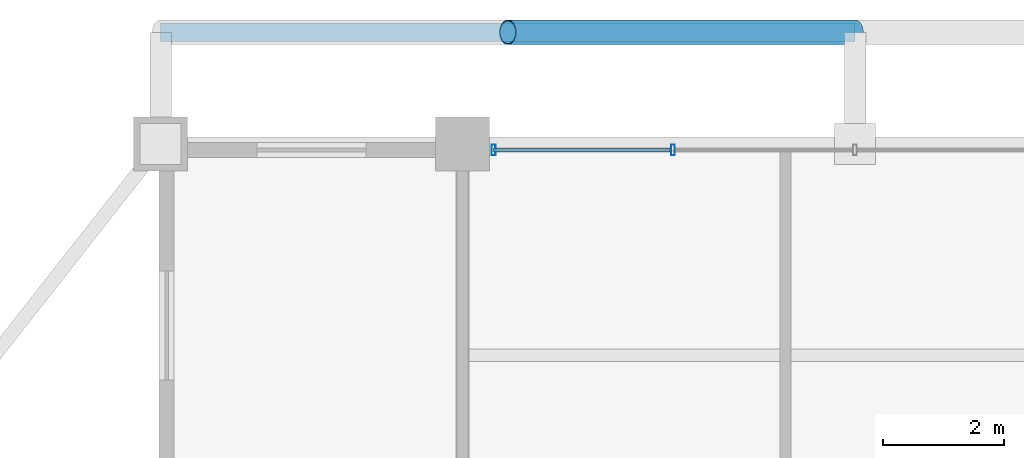
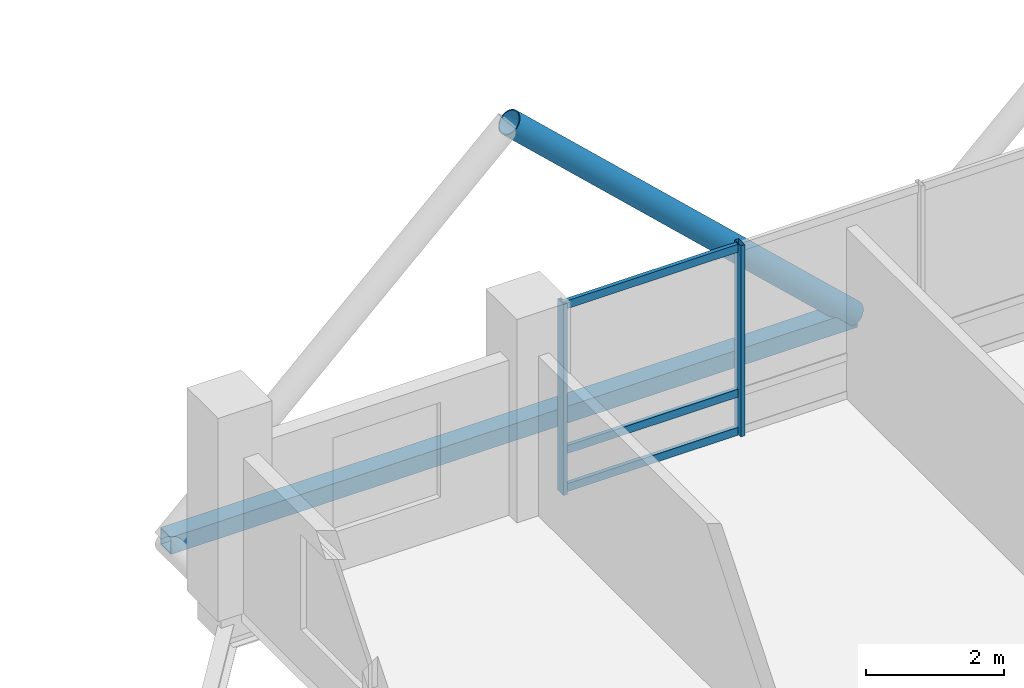
# One storey, part 15 of 24: 7 members, 1 element without a shape of its own.
"""IFC4 building model written with IfcOpenShell, lengths in metres."""

from ifc_helpers import new_model, si_unit, direction, frame, origin, origin_2d, place, context, subcontext, project, spatial, hollow_rectangle, hollow_circle, extrude, material, layer, layer_set, material_profile, profile_set, type_object, element, aggregate, save


model = new_model("IFC4")

# Units and contexts
model_context = context("Model", 3, precision=1e-05, world=origin(), true_north=direction((0.0, 1.0)))
body_context = subcontext(model_context, "Body", "Model", "MODEL_VIEW")
ifc_project = project(units=[si_unit("LENGTHUNIT", "METRE"), si_unit("AREAUNIT", "SQUARE_METRE"), si_unit("VOLUMEUNIT", "CUBIC_METRE"), si_unit("PLANEANGLEUNIT", "RADIAN"), si_unit("MASSUNIT", "GRAM", prefix="KILO")], contexts=[model_context])

# Site, building, storey
site_placement = place(None, origin())
site = spatial("IfcSite", under=ifc_project, at=site_placement, CompositionType="ELEMENT")
building_placement = place(site_placement, origin())
building = spatial("IfcBuilding", under=site, at=building_placement, Name="Barlavira Tower and Art Museum", CompositionType="ELEMENT")
storey_placement = place(building_placement, frame((0.0, 0.0, 294.300048828125)))
storey = spatial("IfcBuildingStorey", under=building, at=storey_placement, Name="L77", CompositionType="ELEMENT", Elevation=294.300048828125)

# Curtain wall, members
ifc_material_1 = material(Name="Low-iron coastal laminated glass", Category="glass")
ifc_layer = layer(ifc_material_1, 0.2099609375, Name="Low-iron coastal laminated glass")
ifc_layer_set = layer_set([ifc_layer], Name="Low-iron coastal laminated glass")
curtain_wall_type = type_object("IfcCurtainWallType", Name="Pale-Metal Unitised Curtain Wall Zone 4", PredefinedType="NOTDEFINED", material=ifc_layer_set)
curtain_wall_placement = place(storey_placement, origin())
curtain_wall = element("IfcCurtainWall", 1, at=curtain_wall_placement, inside=storey, type_object=curtain_wall_type, Name="L77 Curtain Wall CW4-L77-N-B2", PredefinedType="NOTDEFINED")
ifc_material_2 = material(Name="Pale anodised aluminium", Category="aluminium")
ifc_material_profile_1 = material_profile(ifc_material_2, hollow_rectangle(XDim=0.06494140625, YDim=0.179931640625, WallThickness=0.00390625, at=origin_2d()), Name="ALU-MULL 65x180x4")
ifc_profile_set_1 = profile_set([ifc_material_profile_1], Name="Pale anodised aluminium")
member_type_1 = type_object("IfcMemberType", Name="Curtain Wall Pale-Metal Mullion 65x180", PredefinedType="MULLION", material=ifc_profile_set_1)
member_1_placement = place(storey_placement, frame((-3.014892578125, 19.89990234375, 0.0), z_axis=(0.0, 0.0, 1.0), x_axis=(-1.0, 0.0, 0.0)))
member_1 = element("IfcMember", 2, at=member_1_placement, type_object=member_type_1, Name="CW4-L77-N-B2 Mullion 3", PredefinedType="MULLION", context=body_context, shape_type="SweptSolid", body=[
    extrude(hollow_rectangle(XDim=0.06494140625, YDim=0.179931640625, WallThickness=0.00390625, at=origin_2d()), origin(), (0.0, 0.0, 1.0), 3.3798828125),
])
member_2_placement = place(storey_placement, frame((-5.985107421875, 19.89990234375, 0.0), z_axis=(0.0, 0.0, 1.0), x_axis=(-1.0, 0.0, 0.0)))
member_2 = element("IfcMember", 3, at=member_2_placement, type_object=member_type_1, Name="CW4-L77-N-B2 Mullion 4", PredefinedType="MULLION", context=body_context, shape_type="SweptSolid", body=[
    extrude(hollow_rectangle(XDim=0.06494140625, YDim=0.179931640625, WallThickness=0.00390625, at=origin_2d()), origin(), (0.0, 0.0, 1.0), 3.3798828125),
])
ifc_material_profile_2 = material_profile(ifc_material_2, hollow_rectangle(XDim=0.06494140625, YDim=0.139892578125, WallThickness=0.00390625, at=origin_2d()), Name="ALU-TRAN 65x140x4")
ifc_profile_set_2 = profile_set([ifc_material_profile_2], Name="Pale anodised aluminium")
member_type_2 = type_object("IfcMemberType", Name="Curtain Wall Pale-Metal Transom 65x140", PredefinedType="USERDEFINED", material=ifc_profile_set_2)
member_3_placement = place(storey_placement, frame((-3.06005859375, 19.89990234375, 0.070068359375), z_axis=(-1.0, 0.0, 0.0), x_axis=(0.0, -1.0, 0.0)))
member_3 = element("IfcMember", 4, at=member_3_placement, type_object=member_type_2, Name="CW4-L77-N-B2 Transom 3.1", ObjectType="TRANSOM", PredefinedType="USERDEFINED", context=body_context, shape_type="SweptSolid", body=[
    extrude(hollow_rectangle(XDim=0.06494140625, YDim=0.139892578125, WallThickness=0.00390625, at=origin_2d()), origin(), (0.0, 0.0, 1.0), 2.925048828125),
])
member_4_placement = place(storey_placement, frame((-3.06005859375, 19.89990234375, 0.743896484375), z_axis=(-1.0, 0.0, 0.0), x_axis=(0.0, -1.0, 0.0)))
member_4 = element("IfcMember", 5, at=member_4_placement, type_object=member_type_2, Name="CW4-L77-N-B2 Transom 3.2", ObjectType="TRANSOM", PredefinedType="USERDEFINED", context=body_context, shape_type="SweptSolid", body=[
    extrude(hollow_rectangle(XDim=0.06494140625, YDim=0.139892578125, WallThickness=0.00390625, at=origin_2d()), origin(), (0.0, 0.0, 1.0), 2.925048828125),
])
member_5_placement = place(storey_placement, frame((-3.06005859375, 19.89990234375, 3.31005859375), z_axis=(-1.0, 0.0, 0.0), x_axis=(0.0, -1.0, 0.0)))
member_5 = element("IfcMember", 6, at=member_5_placement, type_object=member_type_2, Name="CW4-L77-N-B2 Transom 3.3", ObjectType="TRANSOM", PredefinedType="USERDEFINED", context=body_context, shape_type="SweptSolid", body=[
    extrude(hollow_rectangle(XDim=0.06494140625, YDim=0.139892578125, WallThickness=0.00390625, at=origin_2d()), origin(), (0.0, 0.0, 1.0), 2.925048828125),
])
aggregate(curtain_wall, [member_1, member_2, member_3, member_4, member_5])

# Members
ifc_material_3 = material(Name="Steel S355", Category="steel")
ifc_material_profile_3 = material_profile(ifc_material_3, hollow_circle(Radius=0.203125, WallThickness=0.01611328125, at=origin_2d()), Name="CHS 406.4x16.0")
ifc_profile_set_3 = profile_set([ifc_material_profile_3], Name="Steel S355")
member_type_3 = type_object("IfcMemberType", Name="Pale-Metal Exoskeleton Diagrid Tube CHS 406x16 Steel S355", PredefinedType="BRACE", material=ifc_profile_set_3)
member_6_placement = place(storey_placement, frame((0.0, 21.85009765625, -0.1201171875), z_axis=(-0.728934650808, 0.0, 0.684583285548), x_axis=(0.0, -1.0, 0.0)))
element("IfcMember", 7, at=member_6_placement, inside=storey, type_object=member_type_3, Name="L77 Exoskeleton Diagrid Tube N", PredefinedType="BRACE", context=body_context, shape_type="SweptSolid", body=[
    extrude(hollow_circle(Radius=0.203125, WallThickness=0.01611328125, at=origin_2d()), origin(), (0.0, 0.0, 1.0), 7.88818359375),
])
ifc_material_profile_4 = material_profile(ifc_material_3, hollow_rectangle(XDim=0.300048828125, YDim=0.300048828125, WallThickness=0.01611328125, at=origin_2d()), Name="SHS 300x300x16.0")
ifc_profile_set_4 = profile_set([ifc_material_profile_4], Name="Steel S355")
member_type_4 = type_object("IfcMemberType", Name="Pale-Metal Upper Ring Strut SHS 300x300x16 Steel S355", PredefinedType="STRUT", material=ifc_profile_set_4)
member_7_placement = place(storey_placement, frame((-11.5, 21.85009765625, -0.1201171875), z_axis=(1.0, 0.0, 0.0), x_axis=(0.0, 1.0, 0.0)))
element("IfcMember", 8, at=member_7_placement, inside=storey, type_object=member_type_4, Name="L77 Exoskeleton Ring Strut N", PredefinedType="STRUT", context=body_context, shape_type="SweptSolid", body=[
    extrude(hollow_rectangle(XDim=0.300048828125, YDim=0.300048828125, WallThickness=0.01611328125, at=origin_2d()), origin(), (0.0, 0.0, 1.0), 11.5),
])

save(model, "model.ifc")
